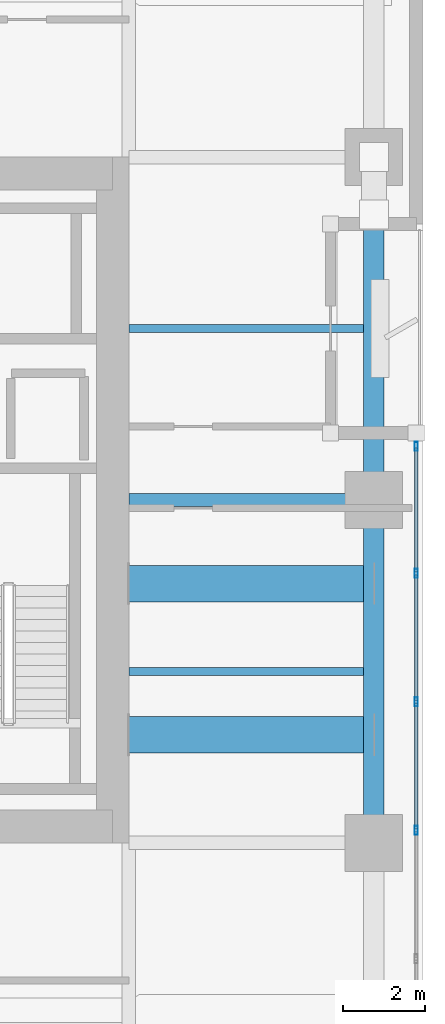
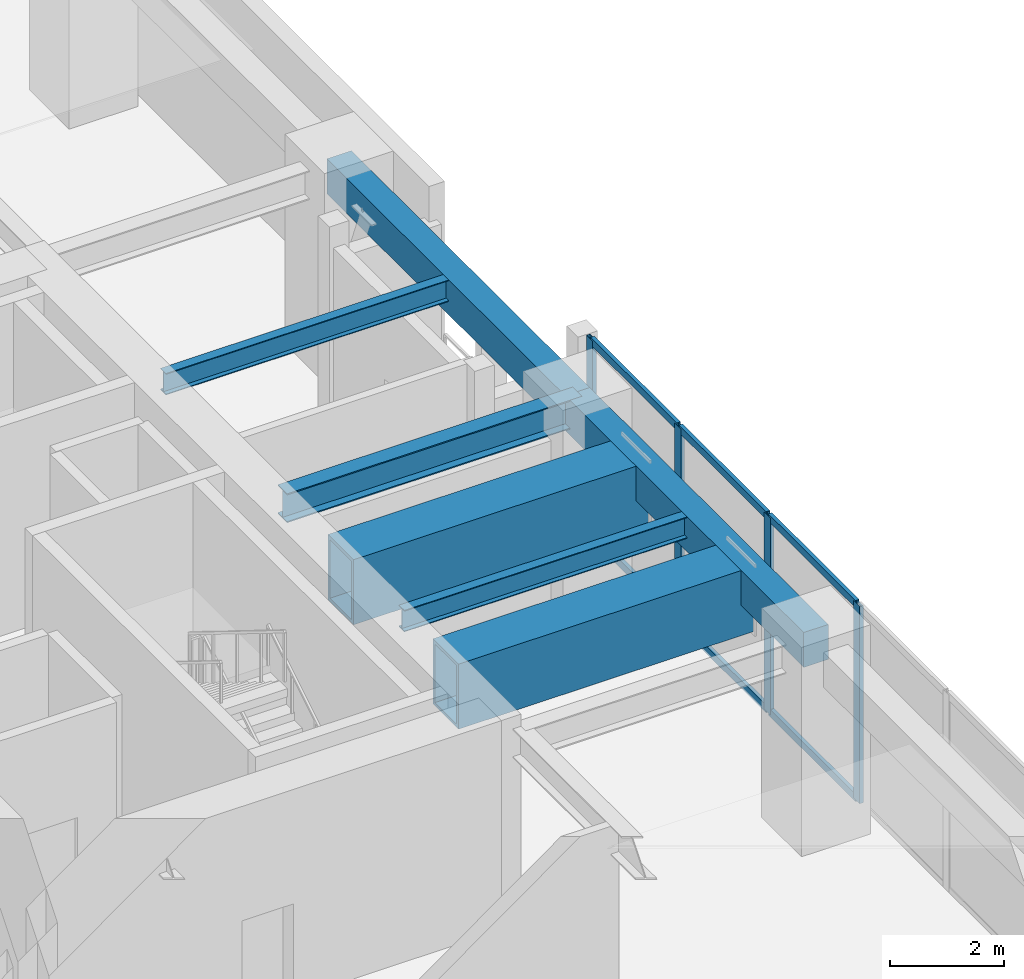
# One storey, part 6 of 23: 10 members, 7 beams, 1 element without a shape of its own.
"""IFC4 building model written with IfcOpenShell, lengths in metres."""

from ifc_helpers import new_model, si_unit, direction, frame, origin, origin_2d, place, context, subcontext, project, spatial, rectangle, hollow_rectangle, i_section, extrude, material, layer, layer_set, material_profile, profile_set, type_object, element, aggregate, save


model = new_model("IFC4")

# Units and contexts
model_context = context("Model", 3, precision=1e-05, world=origin(), true_north=direction((0.0, 1.0)))
body_context = subcontext(model_context, "Body", "Model", "MODEL_VIEW")
ifc_project = project(units=[si_unit("LENGTHUNIT", "METRE"), si_unit("AREAUNIT", "SQUARE_METRE"), si_unit("VOLUMEUNIT", "CUBIC_METRE"), si_unit("PLANEANGLEUNIT", "RADIAN"), si_unit("MASSUNIT", "GRAM", prefix="KILO")], contexts=[model_context])

# Site, building, storey
site_placement = place(None, origin())
site = spatial("IfcSite", under=ifc_project, at=site_placement, CompositionType="ELEMENT")
building_placement = place(site_placement, origin())
building = spatial("IfcBuilding", under=site, at=building_placement, Name="Kiyonajd Concourse Tower", CompositionType="ELEMENT")
storey_placement = place(building_placement, frame((0.0, 0.0, 120.89990234375)))
storey = spatial("IfcBuildingStorey", under=building, at=storey_placement, Name="L31", CompositionType="ELEMENT", Elevation=120.89990234375)

# Beams
ifc_material_1 = material(Name="Steel ASTM A992 Grade 50", Category="steel")
ifc_material_profile_1 = material_profile(ifc_material_1, i_section(OverallWidth=0.19189453125, OverallDepth=0.462890625, WebThickness=0.010498046875, FlangeThickness=0.017578125, at=origin_2d()), Name="W460X89")
ifc_profile_set_1 = profile_set([ifc_material_profile_1], Name="Steel ASTM A992 Grade 50")
beam_type_1 = type_object("IfcBeamType", Name="BM-JST-460B", PredefinedType="JOIST", material=ifc_profile_set_1)
for number, where, z_axis, x_axis, name in (
    (1, (63.60009765625, 31.800048828125, 4.008544921875), (1.0, 0.0, 0.0), (0.0, 1.0, 0.0), "L31 East Secondary Floor Joist"),
    (2, (63.60009765625, 40.199951171875, 4.008544921875), (1.0, 0.0, 0.0), (0.0, 1.0, 0.0), "L31 East Secondary Floor Joist"),
):
    element("IfcBeam", number, at=place(storey_placement, frame(where, z_axis=z_axis, x_axis=x_axis)), inside=storey, type_object=beam_type_1, Name=name, PredefinedType="JOIST", context=body_context, shape_type="SweptSolid", body=[
        extrude(i_section(OverallWidth=0.19189453125, OverallDepth=0.462890625, WebThickness=0.010498046875, FlangeThickness=0.017578125, at=origin_2d()), origin(), (0.0, 0.0, 1.0), 5.75),
    ])
ifc_material_2 = material(Name="Precast concrete C50/60", Category="concrete")
ifc_material_profile_2 = material_profile(ifc_material_2, rectangle(XDim=0.5, YDim=0.75, at=origin_2d()), Name="RCBM-500x750")
ifc_profile_set_2 = profile_set([ifc_material_profile_2], Name="Precast concrete C50/60")
beam_type_2 = type_object("IfcBeamType", Name="BM-SPAN-RC", PredefinedType="SPANDREL", material=ifc_profile_set_2)
for number, where, z_axis, x_axis, name in (
    (3, (69.60009765625, 27.60009765625, 3.864990234375), (0.0, 1.0, 0.0), (-1.0, 0.0, 0.0), "L31 Perimeter Bundled Tube Spandrel"),
    (4, (69.60009765625, 36.0, 3.864990234375), (0.0, 1.0, 0.0), (-1.0, 0.0, 0.0), "L31 Perimeter Bundled Tube Spandrel"),
):
    element("IfcBeam", number, at=place(storey_placement, frame(where, z_axis=z_axis, x_axis=x_axis)), inside=storey, type_object=beam_type_2, Name=name, PredefinedType="SPANDREL", context=body_context, shape_type="SweptSolid", body=[
        extrude(rectangle(XDim=0.5, YDim=0.75, at=origin_2d()), origin(), (0.0, 0.0, 1.0), 8.39990234375),
    ])
ifc_material_profile_3 = material_profile(ifc_material_1, i_section(OverallWidth=0.326904296875, OverallDepth=0.6220703125, WebThickness=0.015380859375, FlangeThickness=0.0244140625, at=origin_2d()), Name="W610X195")
ifc_profile_set_3 = profile_set([ifc_material_profile_3], Name="Steel ASTM A992 Grade 50")
beam_type_3 = type_object("IfcBeamType", Name="BM-TWR-610A", PredefinedType="BEAM", material=ifc_profile_set_3)
beam_placement = place(storey_placement, frame((63.60009765625, 36.0, 3.92919921875), z_axis=(1.0, 0.0, 0.0), x_axis=(0.0, 1.0, 0.0)))
element("IfcBeam", 5, at=beam_placement, inside=storey, type_object=beam_type_3, Name="L31 East Lease Girder", PredefinedType="BEAM", context=body_context, shape_type="SweptSolid", body=[
    extrude(i_section(OverallWidth=0.326904296875, OverallDepth=0.6220703125, WebThickness=0.015380859375, FlangeThickness=0.0244140625, at=origin_2d()), origin(), (0.0, 0.0, 1.0), 6.0),
])
ifc_material_3 = material(Name="Steel ASTM A572 Grade 50", Category="steel")
ifc_material_profile_4 = material_profile(ifc_material_3, hollow_rectangle(XDim=0.89990234375, YDim=1.39990234375, WallThickness=0.070068359375, at=origin_2d()), Name="BOX-1400x900x70")
ifc_profile_set_4 = profile_set([ifc_material_profile_4], Name="Steel ASTM A572 Grade 50")
beam_type_4 = type_object("IfcBeamType", Name="BM-XFER-1400", PredefinedType="BEAM", material=ifc_profile_set_4)
for number, where, z_axis, x_axis, name in (
    (6, (63.60009765625, 30.25, 3.5400390625), (1.0, 0.0, 0.0), (0.0, 1.0, 0.0), "L31 Sky Garden Support Girder 1"),
    (7, (63.60009765625, 33.949951171875, 3.5400390625), (1.0, 0.0, 0.0), (0.0, 1.0, 0.0), "L31 Sky Garden Support Girder 2"),
):
    element("IfcBeam", number, at=place(storey_placement, frame(where, z_axis=z_axis, x_axis=x_axis)), inside=storey, type_object=beam_type_4, Name=name, PredefinedType="BEAM", context=body_context, shape_type="SweptSolid", body=[
        extrude(hollow_rectangle(XDim=0.89990234375, YDim=1.39990234375, WallThickness=0.070068359375, at=origin_2d()), origin(), (0.0, 0.0, 1.0), 6.0),
    ])

# Curtain wall, members
ifc_material_4 = material(Name="Thermally Broken Anodised Aluminium", Category="aluminium")
ifc_layer = layer(ifc_material_4, 0.179931640625)
ifc_layer_set = layer_set([ifc_layer], Name="Thermally Broken Anodised Aluminium")
curtain_wall_type = type_object("IfcCurtainWallType", Name="CW-SYS-05", PredefinedType="NOTDEFINED", material=ifc_layer_set)
curtain_wall_placement = place(storey_placement, origin())
curtain_wall = element("IfcCurtainWall", 8, at=curtain_wall_placement, inside=storey, type_object=curtain_wall_type, Name="L31 Unitised Curtain Wall CW5", PredefinedType="NOTDEFINED")
ifc_material_profile_5 = material_profile(ifc_material_4, hollow_rectangle(XDim=0.074951171875, YDim=0.219970703125, WallThickness=0.0048828125, at=origin_2d()), Name="MULL-75x220")
ifc_profile_set_5 = profile_set([ifc_material_profile_5], Name="Thermally Broken Anodised Aluminium")
member_type_1 = type_object("IfcMemberType", Name="MB-CW-MULL2", PredefinedType="MULLION", material=ifc_profile_set_5)
member_1_placement = place(storey_placement, frame((70.639892578125, 37.3125, 0.0), z_axis=(0.0, 0.0, 1.0), x_axis=(1.0, 0.0, 0.0)))
member_1 = element("IfcMember", 9, at=member_1_placement, type_object=member_type_1, Name="CW5 mullion 1", PredefinedType="MULLION", context=body_context, shape_type="SweptSolid", body=[
    extrude(hollow_rectangle(XDim=0.074951171875, YDim=0.219970703125, WallThickness=0.0048828125, at=origin_2d()), origin(), (0.0, 0.0, 1.0), 4.239990234375),
])
member_2_placement = place(storey_placement, frame((70.639892578125, 34.20166015625, 0.0), z_axis=(0.0, 0.0, 1.0), x_axis=(1.0, 0.0, 0.0)))
member_2 = element("IfcMember", 10, at=member_2_placement, type_object=member_type_1, Name="CW5 mullion 2", PredefinedType="MULLION", context=body_context, shape_type="SweptSolid", body=[
    extrude(hollow_rectangle(XDim=0.074951171875, YDim=0.219970703125, WallThickness=0.0048828125, at=origin_2d()), origin(), (0.0, 0.0, 1.0), 4.239990234375),
])
member_3_placement = place(storey_placement, frame((70.639892578125, 31.05322265625, 0.0), z_axis=(0.0, 0.0, 1.0), x_axis=(1.0, 0.0, 0.0)))
member_3 = element("IfcMember", 11, at=member_3_placement, type_object=member_type_1, Name="CW5 mullion 3", PredefinedType="MULLION", context=body_context, shape_type="SweptSolid", body=[
    extrude(hollow_rectangle(XDim=0.074951171875, YDim=0.219970703125, WallThickness=0.0048828125, at=origin_2d()), origin(), (0.0, 0.0, 1.0), 4.239990234375),
])
member_4_placement = place(storey_placement, frame((70.639892578125, 27.90478515625, 0.0), z_axis=(0.0, 0.0, 1.0), x_axis=(1.0, 0.0, 0.0)))
member_4 = element("IfcMember", 12, at=member_4_placement, type_object=member_type_1, Name="CW5 mullion 4", PredefinedType="MULLION", context=body_context, shape_type="SweptSolid", body=[
    extrude(hollow_rectangle(XDim=0.074951171875, YDim=0.219970703125, WallThickness=0.0048828125, at=origin_2d()), origin(), (0.0, 0.0, 1.0), 4.239990234375),
])
ifc_material_profile_6 = material_profile(ifc_material_4, hollow_rectangle(XDim=0.074951171875, YDim=0.159912109375, WallThickness=0.0048828125, at=origin_2d()), Name="TRAN-75x160")
ifc_profile_set_6 = profile_set([ifc_material_profile_6], Name="Thermally Broken Anodised Aluminium")
member_type_2 = type_object("IfcMemberType", Name="MB-CW-TRAN2", PredefinedType="USERDEFINED", material=ifc_profile_set_6)
member_5_placement = place(storey_placement, frame((70.639892578125, 37.27490234375, 0.03759765625), z_axis=(0.0, -1.0, 0.0), x_axis=(1.0, 0.0, 0.0)))
member_5 = element("IfcMember", 13, at=member_5_placement, type_object=member_type_2, Name="CW5 transom 1.1", ObjectType="TRANSOM", PredefinedType="USERDEFINED", context=body_context, shape_type="SweptSolid", body=[
    extrude(hollow_rectangle(XDim=0.074951171875, YDim=0.159912109375, WallThickness=0.0048828125, at=origin_2d()), origin(), (0.0, 0.0, 1.0), 3.035888671875),
])
member_6_placement = place(storey_placement, frame((70.639892578125, 37.27490234375, 4.20263671875), z_axis=(0.0, -1.0, 0.0), x_axis=(1.0, 0.0, 0.0)))
member_6 = element("IfcMember", 14, at=member_6_placement, type_object=member_type_2, Name="CW5 transom 1.2", ObjectType="TRANSOM", PredefinedType="USERDEFINED", context=body_context, shape_type="SweptSolid", body=[
    extrude(hollow_rectangle(XDim=0.074951171875, YDim=0.159912109375, WallThickness=0.0048828125, at=origin_2d()), origin(), (0.0, 0.0, 1.0), 3.035888671875),
])
member_7_placement = place(storey_placement, frame((70.639892578125, 34.1640625, 0.03759765625), z_axis=(0.0, -1.0, 0.0), x_axis=(1.0, 0.0, 0.0)))
member_7 = element("IfcMember", 15, at=member_7_placement, type_object=member_type_2, Name="CW5 transom 2.1", ObjectType="TRANSOM", PredefinedType="USERDEFINED", context=body_context, shape_type="SweptSolid", body=[
    extrude(hollow_rectangle(XDim=0.074951171875, YDim=0.159912109375, WallThickness=0.0048828125, at=origin_2d()), origin(), (0.0, 0.0, 1.0), 3.073486328125),
])
member_8_placement = place(storey_placement, frame((70.639892578125, 34.1640625, 4.20263671875), z_axis=(0.0, -1.0, 0.0), x_axis=(1.0, 0.0, 0.0)))
member_8 = element("IfcMember", 16, at=member_8_placement, type_object=member_type_2, Name="CW5 transom 2.2", ObjectType="TRANSOM", PredefinedType="USERDEFINED", context=body_context, shape_type="SweptSolid", body=[
    extrude(hollow_rectangle(XDim=0.074951171875, YDim=0.159912109375, WallThickness=0.0048828125, at=origin_2d()), origin(), (0.0, 0.0, 1.0), 3.073486328125),
])
member_9_placement = place(storey_placement, frame((70.639892578125, 31.015625, 0.03759765625), z_axis=(0.0, -1.0, 0.0), x_axis=(1.0, 0.0, 0.0)))
member_9 = element("IfcMember", 17, at=member_9_placement, type_object=member_type_2, Name="CW5 transom 3.1", ObjectType="TRANSOM", PredefinedType="USERDEFINED", context=body_context, shape_type="SweptSolid", body=[
    extrude(hollow_rectangle(XDim=0.074951171875, YDim=0.159912109375, WallThickness=0.0048828125, at=origin_2d()), origin(), (0.0, 0.0, 1.0), 3.073486328125),
])
member_10_placement = place(storey_placement, frame((70.639892578125, 31.015625, 4.20263671875), z_axis=(0.0, -1.0, 0.0), x_axis=(1.0, 0.0, 0.0)))
member_10 = element("IfcMember", 18, at=member_10_placement, type_object=member_type_2, Name="CW5 transom 3.2", ObjectType="TRANSOM", PredefinedType="USERDEFINED", context=body_context, shape_type="SweptSolid", body=[
    extrude(hollow_rectangle(XDim=0.074951171875, YDim=0.159912109375, WallThickness=0.0048828125, at=origin_2d()), origin(), (0.0, 0.0, 1.0), 3.073486328125),
])
aggregate(curtain_wall, [member_1, member_2, member_3, member_4, member_5, member_6, member_7, member_8, member_9, member_10])

save(model, "model.ifc")
